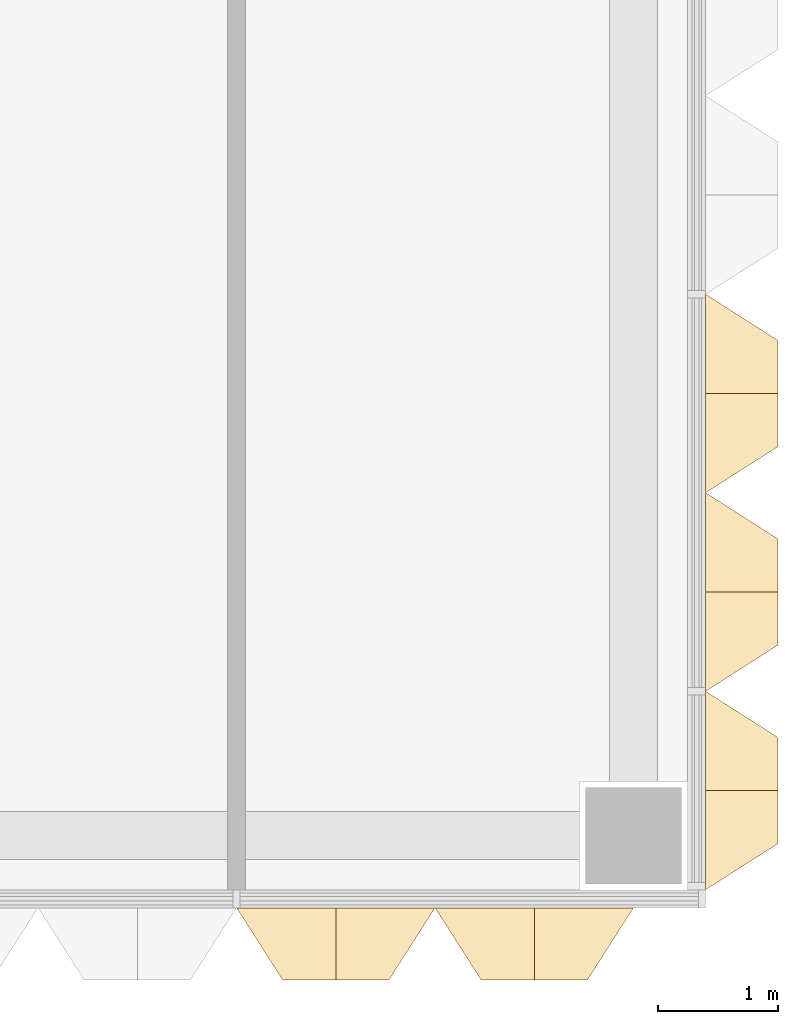
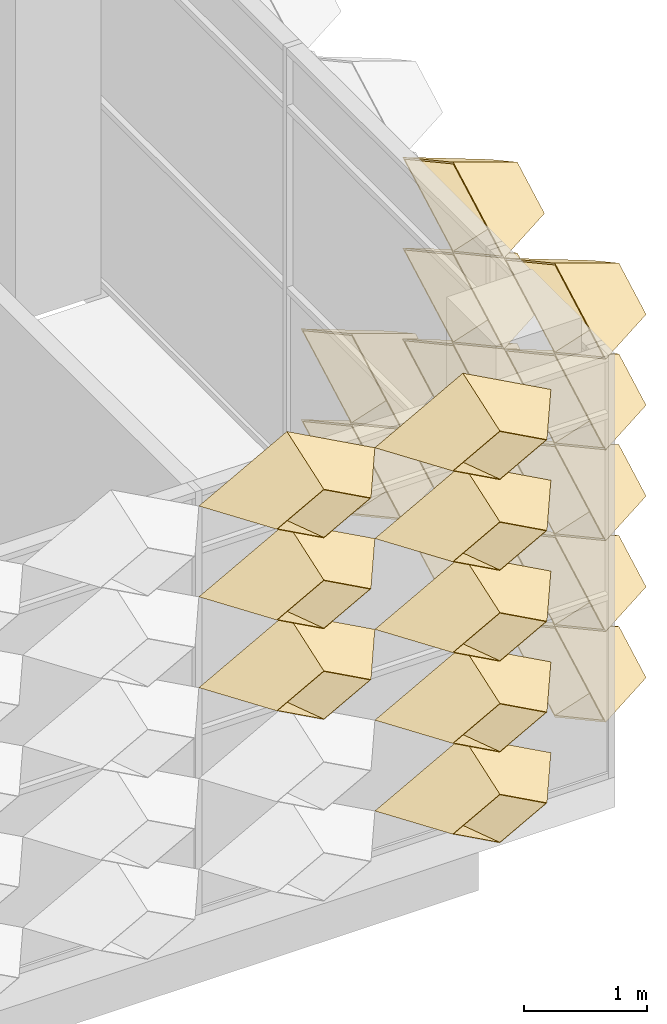
# One storey, part 62 of 85: 20 coverings.
"""IFC4 building model written with IfcOpenShell, lengths in metres."""

from ifc_helpers import new_model, entity, si_unit, direction, frame, origin, place, context, subcontext, project, spatial, material, layer, layer_set, type_object, element, save


model = new_model("IFC4")

# Units and contexts
model_context = context("Model", 3, precision=1e-05, world=origin(), true_north=direction((0.0, 1.0)))
body_context = subcontext(model_context, "Body", "Model", "MODEL_VIEW")
ifc_project = project(units=[si_unit("LENGTHUNIT", "METRE"), si_unit("AREAUNIT", "SQUARE_METRE"), si_unit("VOLUMEUNIT", "CUBIC_METRE"), si_unit("PLANEANGLEUNIT", "RADIAN"), si_unit("MASSUNIT", "GRAM", prefix="KILO")], contexts=[model_context])

# Site, building, storey
site_placement = place(None, origin())
site = spatial("IfcSite", under=ifc_project, at=site_placement, CompositionType="ELEMENT")
building_placement = place(site_placement, origin())
building = spatial("IfcBuilding", under=site, at=building_placement, Name="Lantern Court Research Institute", CompositionType="ELEMENT")
storey_placement = place(building_placement, frame((0.0, 0.0, 18.89990234375)))
storey = spatial("IfcBuildingStorey", under=building, at=storey_placement, Name="L04", CompositionType="ELEMENT", Elevation=18.89990234375)

# Coverings
ifc_material = material(Name="Anodised aluminium", Category="aluminium")
ifc_layer = layer(ifc_material, 0.01611328125)
ifc_layer_set = layer_set([ifc_layer], Name="Anodised aluminium")
covering_type = type_object("IfcCoveringType", Name="Fin cassette 1650 x 900 x 600 aluminium", PredefinedType="CLADDING", material=ifc_layer_set)
covering_1_placement = place(storey_placement, frame((79.800048828125, -7.425048828125, 0.4501953125), z_axis=(1.0, 0.0, 0.0), x_axis=(0.0, 1.0, 0.0)))
cartesian_point_1 = entity("IfcCartesianPoint", [0.824951171875, 0.0])
cartesian_point_2 = entity("IfcCartesianPoint", [0.79150390625, 0.0])
cartesian_point_3 = entity("IfcCartesianPoint", [0.44189453125, 0.0])
cartesian_point_4 = entity("IfcCartesianPoint", [0.43359375, 0.0])
element("IfcCovering", 1, at=covering_1_placement, inside=storey, type_object=covering_type, Name="Fin cassette V5E-L04 1.-4", PredefinedType="CLADDING", context=body_context, shape_type="SweptSolid", body=[
    entity("IfcExtrudedAreaSolidTapered", entity("IfcArbitraryProfileDefWithVoids", "AREA", None, entity("IfcPolyline", [cartesian_point_1, entity("IfcCartesianPoint", [0.0, 0.449951171875]), entity("IfcCartesianPoint", [-0.824951171875, 0.0]), entity("IfcCartesianPoint", [0.0, -0.449951171875]), cartesian_point_1]), [entity("IfcPolyline", [cartesian_point_2, entity("IfcCartesianPoint", [0.0, 0.431884765625]), entity("IfcCartesianPoint", [-0.79150390625, 0.0]), entity("IfcCartesianPoint", [0.0, -0.431884765625]), cartesian_point_2])]), entity("IfcAxis2Placement3D", entity("IfcCartesianPoint", [0.0, 0.0, 0.0])), entity("IfcDirection", [0.0, 0.0, 1.0]), 0.60009765625, entity("IfcArbitraryProfileDefWithVoids", "AREA", None, entity("IfcPolyline", [cartesian_point_3, entity("IfcCartesianPoint", [0.0, 0.240966796875]), entity("IfcCartesianPoint", [-0.44189453125, 0.0]), entity("IfcCartesianPoint", [0.0, -0.240966796875]), cartesian_point_3]), [entity("IfcPolyline", [cartesian_point_4, entity("IfcCartesianPoint", [0.0, 0.236572265625]), entity("IfcCartesianPoint", [-0.43359375, 0.0]), entity("IfcCartesianPoint", [0.0, -0.236572265625]), cartesian_point_4])])),
])
covering_2_placement = place(storey_placement, frame((79.800048828125, -5.77490234375, 0.4501953125), z_axis=(1.0, 0.0, 0.0), x_axis=(0.0, 1.0, 0.0)))
cartesian_point_5 = entity("IfcCartesianPoint", [0.824951171875, 0.0])
cartesian_point_6 = entity("IfcCartesianPoint", [0.79150390625, 0.0])
cartesian_point_7 = entity("IfcCartesianPoint", [0.44189453125, 0.0])
cartesian_point_8 = entity("IfcCartesianPoint", [0.43359375, 0.0])
element("IfcCovering", 2, at=covering_2_placement, inside=storey, type_object=covering_type, Name="Fin cassette V5E-L04 1.-3", PredefinedType="CLADDING", context=body_context, shape_type="SweptSolid", body=[
    entity("IfcExtrudedAreaSolidTapered", entity("IfcArbitraryProfileDefWithVoids", "AREA", None, entity("IfcPolyline", [cartesian_point_5, entity("IfcCartesianPoint", [0.0, 0.449951171875]), entity("IfcCartesianPoint", [-0.824951171875, 0.0]), entity("IfcCartesianPoint", [0.0, -0.449951171875]), cartesian_point_5]), [entity("IfcPolyline", [cartesian_point_6, entity("IfcCartesianPoint", [0.0, 0.431884765625]), entity("IfcCartesianPoint", [-0.79150390625, 0.0]), entity("IfcCartesianPoint", [0.0, -0.431884765625]), cartesian_point_6])]), entity("IfcAxis2Placement3D", entity("IfcCartesianPoint", [0.0, 0.0, 0.0])), entity("IfcDirection", [0.0, 0.0, 1.0]), 0.60009765625, entity("IfcArbitraryProfileDefWithVoids", "AREA", None, entity("IfcPolyline", [cartesian_point_7, entity("IfcCartesianPoint", [0.0, 0.240966796875]), entity("IfcCartesianPoint", [-0.44189453125, 0.0]), entity("IfcCartesianPoint", [0.0, -0.240966796875]), cartesian_point_7]), [entity("IfcPolyline", [cartesian_point_8, entity("IfcCartesianPoint", [0.0, 0.236572265625]), entity("IfcCartesianPoint", [-0.43359375, 0.0]), entity("IfcCartesianPoint", [0.0, -0.236572265625]), cartesian_point_8])])),
])
covering_3_placement = place(storey_placement, frame((79.800048828125, -4.125, 0.4501953125), z_axis=(1.0, 0.0, 0.0), x_axis=(0.0, 1.0, 0.0)))
cartesian_point_9 = entity("IfcCartesianPoint", [0.824951171875, 0.0])
cartesian_point_10 = entity("IfcCartesianPoint", [0.79150390625, 0.0])
cartesian_point_11 = entity("IfcCartesianPoint", [0.44189453125, 0.0])
cartesian_point_12 = entity("IfcCartesianPoint", [0.43359375, 0.0])
element("IfcCovering", 3, at=covering_3_placement, inside=storey, type_object=covering_type, Name="Fin cassette V5E-L04 1.-2", PredefinedType="CLADDING", context=body_context, shape_type="SweptSolid", body=[
    entity("IfcExtrudedAreaSolidTapered", entity("IfcArbitraryProfileDefWithVoids", "AREA", None, entity("IfcPolyline", [cartesian_point_9, entity("IfcCartesianPoint", [0.0, 0.449951171875]), entity("IfcCartesianPoint", [-0.824951171875, 0.0]), entity("IfcCartesianPoint", [0.0, -0.449951171875]), cartesian_point_9]), [entity("IfcPolyline", [cartesian_point_10, entity("IfcCartesianPoint", [0.0, 0.431884765625]), entity("IfcCartesianPoint", [-0.79150390625, 0.0]), entity("IfcCartesianPoint", [0.0, -0.431884765625]), cartesian_point_10])]), entity("IfcAxis2Placement3D", entity("IfcCartesianPoint", [0.0, 0.0, 0.0])), entity("IfcDirection", [0.0, 0.0, 1.0]), 0.60009765625, entity("IfcArbitraryProfileDefWithVoids", "AREA", None, entity("IfcPolyline", [cartesian_point_11, entity("IfcCartesianPoint", [0.0, 0.240966796875]), entity("IfcCartesianPoint", [-0.44189453125, 0.0]), entity("IfcCartesianPoint", [0.0, -0.240966796875]), cartesian_point_11]), [entity("IfcPolyline", [cartesian_point_12, entity("IfcCartesianPoint", [0.0, 0.236572265625]), entity("IfcCartesianPoint", [-0.43359375, 0.0]), entity("IfcCartesianPoint", [0.0, -0.236572265625]), cartesian_point_12])])),
])
covering_4_placement = place(storey_placement, frame((79.800048828125, -7.425048828125, 1.35009765625), z_axis=(1.0, 0.0, 0.0), x_axis=(0.0, 1.0, 0.0)))
cartesian_point_13 = entity("IfcCartesianPoint", [0.824951171875, 0.0])
cartesian_point_14 = entity("IfcCartesianPoint", [0.79150390625, 0.0])
cartesian_point_15 = entity("IfcCartesianPoint", [0.44189453125, 0.0])
cartesian_point_16 = entity("IfcCartesianPoint", [0.43359375, 0.0])
element("IfcCovering", 4, at=covering_4_placement, inside=storey, type_object=covering_type, Name="Fin cassette V5E-L04 2.-4", PredefinedType="CLADDING", context=body_context, shape_type="SweptSolid", body=[
    entity("IfcExtrudedAreaSolidTapered", entity("IfcArbitraryProfileDefWithVoids", "AREA", None, entity("IfcPolyline", [cartesian_point_13, entity("IfcCartesianPoint", [0.0, 0.449951171875]), entity("IfcCartesianPoint", [-0.824951171875, 0.0]), entity("IfcCartesianPoint", [0.0, -0.449951171875]), cartesian_point_13]), [entity("IfcPolyline", [cartesian_point_14, entity("IfcCartesianPoint", [0.0, 0.431884765625]), entity("IfcCartesianPoint", [-0.79150390625, 0.0]), entity("IfcCartesianPoint", [0.0, -0.431884765625]), cartesian_point_14])]), entity("IfcAxis2Placement3D", entity("IfcCartesianPoint", [0.0, 0.0, 0.0])), entity("IfcDirection", [0.0, 0.0, 1.0]), 0.60009765625, entity("IfcArbitraryProfileDefWithVoids", "AREA", None, entity("IfcPolyline", [cartesian_point_15, entity("IfcCartesianPoint", [0.0, 0.240966796875]), entity("IfcCartesianPoint", [-0.44189453125, 0.0]), entity("IfcCartesianPoint", [0.0, -0.240966796875]), cartesian_point_15]), [entity("IfcPolyline", [cartesian_point_16, entity("IfcCartesianPoint", [0.0, 0.236572265625]), entity("IfcCartesianPoint", [-0.43359375, 0.0]), entity("IfcCartesianPoint", [0.0, -0.236572265625]), cartesian_point_16])])),
])
covering_5_placement = place(storey_placement, frame((79.800048828125, -5.77490234375, 1.35009765625), z_axis=(1.0, 0.0, 0.0), x_axis=(0.0, 1.0, 0.0)))
cartesian_point_17 = entity("IfcCartesianPoint", [0.824951171875, 0.0])
cartesian_point_18 = entity("IfcCartesianPoint", [0.79150390625, 0.0])
cartesian_point_19 = entity("IfcCartesianPoint", [0.44189453125, 0.0])
cartesian_point_20 = entity("IfcCartesianPoint", [0.43359375, 0.0])
element("IfcCovering", 5, at=covering_5_placement, inside=storey, type_object=covering_type, Name="Fin cassette V5E-L04 2.-3", PredefinedType="CLADDING", context=body_context, shape_type="SweptSolid", body=[
    entity("IfcExtrudedAreaSolidTapered", entity("IfcArbitraryProfileDefWithVoids", "AREA", None, entity("IfcPolyline", [cartesian_point_17, entity("IfcCartesianPoint", [0.0, 0.449951171875]), entity("IfcCartesianPoint", [-0.824951171875, 0.0]), entity("IfcCartesianPoint", [0.0, -0.449951171875]), cartesian_point_17]), [entity("IfcPolyline", [cartesian_point_18, entity("IfcCartesianPoint", [0.0, 0.431884765625]), entity("IfcCartesianPoint", [-0.79150390625, 0.0]), entity("IfcCartesianPoint", [0.0, -0.431884765625]), cartesian_point_18])]), entity("IfcAxis2Placement3D", entity("IfcCartesianPoint", [0.0, 0.0, 0.0])), entity("IfcDirection", [0.0, 0.0, 1.0]), 0.60009765625, entity("IfcArbitraryProfileDefWithVoids", "AREA", None, entity("IfcPolyline", [cartesian_point_19, entity("IfcCartesianPoint", [0.0, 0.240966796875]), entity("IfcCartesianPoint", [-0.44189453125, 0.0]), entity("IfcCartesianPoint", [0.0, -0.240966796875]), cartesian_point_19]), [entity("IfcPolyline", [cartesian_point_20, entity("IfcCartesianPoint", [0.0, 0.236572265625]), entity("IfcCartesianPoint", [-0.43359375, 0.0]), entity("IfcCartesianPoint", [0.0, -0.236572265625]), cartesian_point_20])])),
])
covering_6_placement = place(storey_placement, frame((79.800048828125, -4.125, 1.35009765625), z_axis=(1.0, 0.0, 0.0), x_axis=(0.0, 1.0, 0.0)))
cartesian_point_21 = entity("IfcCartesianPoint", [0.824951171875, 0.0])
cartesian_point_22 = entity("IfcCartesianPoint", [0.79150390625, 0.0])
cartesian_point_23 = entity("IfcCartesianPoint", [0.44189453125, 0.0])
cartesian_point_24 = entity("IfcCartesianPoint", [0.43359375, 0.0])
element("IfcCovering", 6, at=covering_6_placement, inside=storey, type_object=covering_type, Name="Fin cassette V5E-L04 2.-2", PredefinedType="CLADDING", context=body_context, shape_type="SweptSolid", body=[
    entity("IfcExtrudedAreaSolidTapered", entity("IfcArbitraryProfileDefWithVoids", "AREA", None, entity("IfcPolyline", [cartesian_point_21, entity("IfcCartesianPoint", [0.0, 0.449951171875]), entity("IfcCartesianPoint", [-0.824951171875, 0.0]), entity("IfcCartesianPoint", [0.0, -0.449951171875]), cartesian_point_21]), [entity("IfcPolyline", [cartesian_point_22, entity("IfcCartesianPoint", [0.0, 0.431884765625]), entity("IfcCartesianPoint", [-0.79150390625, 0.0]), entity("IfcCartesianPoint", [0.0, -0.431884765625]), cartesian_point_22])]), entity("IfcAxis2Placement3D", entity("IfcCartesianPoint", [0.0, 0.0, 0.0])), entity("IfcDirection", [0.0, 0.0, 1.0]), 0.60009765625, entity("IfcArbitraryProfileDefWithVoids", "AREA", None, entity("IfcPolyline", [cartesian_point_23, entity("IfcCartesianPoint", [0.0, 0.240966796875]), entity("IfcCartesianPoint", [-0.44189453125, 0.0]), entity("IfcCartesianPoint", [0.0, -0.240966796875]), cartesian_point_23]), [entity("IfcPolyline", [cartesian_point_24, entity("IfcCartesianPoint", [0.0, 0.236572265625]), entity("IfcCartesianPoint", [-0.43359375, 0.0]), entity("IfcCartesianPoint", [0.0, -0.236572265625]), cartesian_point_24])])),
])
covering_7_placement = place(storey_placement, frame((79.800048828125, -7.425048828125, 2.25), z_axis=(1.0, 0.0, 0.0), x_axis=(0.0, 1.0, 0.0)))
cartesian_point_25 = entity("IfcCartesianPoint", [0.824951171875, 0.0])
cartesian_point_26 = entity("IfcCartesianPoint", [0.79150390625, 0.0])
cartesian_point_27 = entity("IfcCartesianPoint", [0.44189453125, 0.0])
cartesian_point_28 = entity("IfcCartesianPoint", [0.43359375, 0.0])
element("IfcCovering", 7, at=covering_7_placement, inside=storey, type_object=covering_type, Name="Fin cassette V5E-L04 3.-4", PredefinedType="CLADDING", context=body_context, shape_type="SweptSolid", body=[
    entity("IfcExtrudedAreaSolidTapered", entity("IfcArbitraryProfileDefWithVoids", "AREA", None, entity("IfcPolyline", [cartesian_point_25, entity("IfcCartesianPoint", [0.0, 0.449951171875]), entity("IfcCartesianPoint", [-0.824951171875, 0.0]), entity("IfcCartesianPoint", [0.0, -0.449951171875]), cartesian_point_25]), [entity("IfcPolyline", [cartesian_point_26, entity("IfcCartesianPoint", [0.0, 0.431884765625]), entity("IfcCartesianPoint", [-0.79150390625, 0.0]), entity("IfcCartesianPoint", [0.0, -0.431884765625]), cartesian_point_26])]), entity("IfcAxis2Placement3D", entity("IfcCartesianPoint", [0.0, 0.0, 0.0])), entity("IfcDirection", [0.0, 0.0, 1.0]), 0.60009765625, entity("IfcArbitraryProfileDefWithVoids", "AREA", None, entity("IfcPolyline", [cartesian_point_27, entity("IfcCartesianPoint", [0.0, 0.240966796875]), entity("IfcCartesianPoint", [-0.44189453125, 0.0]), entity("IfcCartesianPoint", [0.0, -0.240966796875]), cartesian_point_27]), [entity("IfcPolyline", [cartesian_point_28, entity("IfcCartesianPoint", [0.0, 0.236572265625]), entity("IfcCartesianPoint", [-0.43359375, 0.0]), entity("IfcCartesianPoint", [0.0, -0.236572265625]), cartesian_point_28])])),
])
covering_8_placement = place(storey_placement, frame((79.800048828125, -5.77490234375, 2.25), z_axis=(1.0, 0.0, 0.0), x_axis=(0.0, 1.0, 0.0)))
cartesian_point_29 = entity("IfcCartesianPoint", [0.824951171875, 0.0])
cartesian_point_30 = entity("IfcCartesianPoint", [0.79150390625, 0.0])
cartesian_point_31 = entity("IfcCartesianPoint", [0.44189453125, 0.0])
cartesian_point_32 = entity("IfcCartesianPoint", [0.43359375, 0.0])
element("IfcCovering", 8, at=covering_8_placement, inside=storey, type_object=covering_type, Name="Fin cassette V5E-L04 3.-3", PredefinedType="CLADDING", context=body_context, shape_type="SweptSolid", body=[
    entity("IfcExtrudedAreaSolidTapered", entity("IfcArbitraryProfileDefWithVoids", "AREA", None, entity("IfcPolyline", [cartesian_point_29, entity("IfcCartesianPoint", [0.0, 0.449951171875]), entity("IfcCartesianPoint", [-0.824951171875, 0.0]), entity("IfcCartesianPoint", [0.0, -0.449951171875]), cartesian_point_29]), [entity("IfcPolyline", [cartesian_point_30, entity("IfcCartesianPoint", [0.0, 0.431884765625]), entity("IfcCartesianPoint", [-0.79150390625, 0.0]), entity("IfcCartesianPoint", [0.0, -0.431884765625]), cartesian_point_30])]), entity("IfcAxis2Placement3D", entity("IfcCartesianPoint", [0.0, 0.0, 0.0])), entity("IfcDirection", [0.0, 0.0, 1.0]), 0.60009765625, entity("IfcArbitraryProfileDefWithVoids", "AREA", None, entity("IfcPolyline", [cartesian_point_31, entity("IfcCartesianPoint", [0.0, 0.240966796875]), entity("IfcCartesianPoint", [-0.44189453125, 0.0]), entity("IfcCartesianPoint", [0.0, -0.240966796875]), cartesian_point_31]), [entity("IfcPolyline", [cartesian_point_32, entity("IfcCartesianPoint", [0.0, 0.236572265625]), entity("IfcCartesianPoint", [-0.43359375, 0.0]), entity("IfcCartesianPoint", [0.0, -0.236572265625]), cartesian_point_32])])),
])
covering_9_placement = place(storey_placement, frame((79.800048828125, -7.425048828125, 3.150146484375), z_axis=(1.0, 0.0, 0.0), x_axis=(0.0, 1.0, 0.0)))
cartesian_point_33 = entity("IfcCartesianPoint", [0.824951171875, 0.0])
cartesian_point_34 = entity("IfcCartesianPoint", [0.79150390625, 0.0])
cartesian_point_35 = entity("IfcCartesianPoint", [0.44189453125, 0.0])
cartesian_point_36 = entity("IfcCartesianPoint", [0.43359375, 0.0])
element("IfcCovering", 9, at=covering_9_placement, inside=storey, type_object=covering_type, Name="Fin cassette V5E-L04 4.-4", PredefinedType="CLADDING", context=body_context, shape_type="SweptSolid", body=[
    entity("IfcExtrudedAreaSolidTapered", entity("IfcArbitraryProfileDefWithVoids", "AREA", None, entity("IfcPolyline", [cartesian_point_33, entity("IfcCartesianPoint", [0.0, 0.449951171875]), entity("IfcCartesianPoint", [-0.824951171875, 0.0]), entity("IfcCartesianPoint", [0.0, -0.449951171875]), cartesian_point_33]), [entity("IfcPolyline", [cartesian_point_34, entity("IfcCartesianPoint", [0.0, 0.431884765625]), entity("IfcCartesianPoint", [-0.79150390625, 0.0]), entity("IfcCartesianPoint", [0.0, -0.431884765625]), cartesian_point_34])]), entity("IfcAxis2Placement3D", entity("IfcCartesianPoint", [0.0, 0.0, 0.0])), entity("IfcDirection", [0.0, 0.0, 1.0]), 0.60009765625, entity("IfcArbitraryProfileDefWithVoids", "AREA", None, entity("IfcPolyline", [cartesian_point_35, entity("IfcCartesianPoint", [0.0, 0.240966796875]), entity("IfcCartesianPoint", [-0.44189453125, 0.0]), entity("IfcCartesianPoint", [0.0, -0.240966796875]), cartesian_point_35]), [entity("IfcPolyline", [cartesian_point_36, entity("IfcCartesianPoint", [0.0, 0.236572265625]), entity("IfcCartesianPoint", [-0.43359375, 0.0]), entity("IfcCartesianPoint", [0.0, -0.236572265625]), cartesian_point_36])])),
])
covering_10_placement = place(storey_placement, frame((79.800048828125, -5.77490234375, 3.150146484375), z_axis=(1.0, 0.0, 0.0), x_axis=(0.0, 1.0, 0.0)))
cartesian_point_37 = entity("IfcCartesianPoint", [0.824951171875, 0.0])
cartesian_point_38 = entity("IfcCartesianPoint", [0.79150390625, 0.0])
cartesian_point_39 = entity("IfcCartesianPoint", [0.44189453125, 0.0])
cartesian_point_40 = entity("IfcCartesianPoint", [0.43359375, 0.0])
element("IfcCovering", 10, at=covering_10_placement, inside=storey, type_object=covering_type, Name="Fin cassette V5E-L04 4.-3", PredefinedType="CLADDING", context=body_context, shape_type="SweptSolid", body=[
    entity("IfcExtrudedAreaSolidTapered", entity("IfcArbitraryProfileDefWithVoids", "AREA", None, entity("IfcPolyline", [cartesian_point_37, entity("IfcCartesianPoint", [0.0, 0.449951171875]), entity("IfcCartesianPoint", [-0.824951171875, 0.0]), entity("IfcCartesianPoint", [0.0, -0.449951171875]), cartesian_point_37]), [entity("IfcPolyline", [cartesian_point_38, entity("IfcCartesianPoint", [0.0, 0.431884765625]), entity("IfcCartesianPoint", [-0.79150390625, 0.0]), entity("IfcCartesianPoint", [0.0, -0.431884765625]), cartesian_point_38])]), entity("IfcAxis2Placement3D", entity("IfcCartesianPoint", [0.0, 0.0, 0.0])), entity("IfcDirection", [0.0, 0.0, 1.0]), 0.60009765625, entity("IfcArbitraryProfileDefWithVoids", "AREA", None, entity("IfcPolyline", [cartesian_point_39, entity("IfcCartesianPoint", [0.0, 0.240966796875]), entity("IfcCartesianPoint", [-0.44189453125, 0.0]), entity("IfcCartesianPoint", [0.0, -0.240966796875]), cartesian_point_39]), [entity("IfcPolyline", [cartesian_point_40, entity("IfcCartesianPoint", [0.0, 0.236572265625]), entity("IfcCartesianPoint", [-0.43359375, 0.0]), entity("IfcCartesianPoint", [0.0, -0.236572265625]), cartesian_point_40])])),
])
covering_11_placement = place(storey_placement, frame((79.800048828125, -7.425048828125, 4.050048828125), z_axis=(1.0, 0.0, 0.0), x_axis=(0.0, 1.0, 0.0)))
cartesian_point_41 = entity("IfcCartesianPoint", [0.824951171875, 0.0])
cartesian_point_42 = entity("IfcCartesianPoint", [0.79150390625, 0.0])
cartesian_point_43 = entity("IfcCartesianPoint", [0.44189453125, 0.0])
cartesian_point_44 = entity("IfcCartesianPoint", [0.43359375, 0.0])
element("IfcCovering", 11, at=covering_11_placement, inside=storey, type_object=covering_type, Name="Fin cassette V5E-L04 5.-4", PredefinedType="CLADDING", context=body_context, shape_type="SweptSolid", body=[
    entity("IfcExtrudedAreaSolidTapered", entity("IfcArbitraryProfileDefWithVoids", "AREA", None, entity("IfcPolyline", [cartesian_point_41, entity("IfcCartesianPoint", [0.0, 0.449951171875]), entity("IfcCartesianPoint", [-0.824951171875, 0.0]), entity("IfcCartesianPoint", [0.0, -0.449951171875]), cartesian_point_41]), [entity("IfcPolyline", [cartesian_point_42, entity("IfcCartesianPoint", [0.0, 0.431884765625]), entity("IfcCartesianPoint", [-0.79150390625, 0.0]), entity("IfcCartesianPoint", [0.0, -0.431884765625]), cartesian_point_42])]), entity("IfcAxis2Placement3D", entity("IfcCartesianPoint", [0.0, 0.0, 0.0])), entity("IfcDirection", [0.0, 0.0, 1.0]), 0.60009765625, entity("IfcArbitraryProfileDefWithVoids", "AREA", None, entity("IfcPolyline", [cartesian_point_43, entity("IfcCartesianPoint", [0.0, 0.240966796875]), entity("IfcCartesianPoint", [-0.44189453125, 0.0]), entity("IfcCartesianPoint", [0.0, -0.240966796875]), cartesian_point_43]), [entity("IfcPolyline", [cartesian_point_44, entity("IfcCartesianPoint", [0.0, 0.236572265625]), entity("IfcCartesianPoint", [-0.43359375, 0.0]), entity("IfcCartesianPoint", [0.0, -0.236572265625]), cartesian_point_44])])),
])
covering_12_placement = place(storey_placement, frame((79.800048828125, -5.77490234375, 4.050048828125), z_axis=(1.0, 0.0, 0.0), x_axis=(0.0, 1.0, 0.0)))
cartesian_point_45 = entity("IfcCartesianPoint", [0.824951171875, 0.0])
cartesian_point_46 = entity("IfcCartesianPoint", [0.79150390625, 0.0])
cartesian_point_47 = entity("IfcCartesianPoint", [0.44189453125, 0.0])
cartesian_point_48 = entity("IfcCartesianPoint", [0.43359375, 0.0])
element("IfcCovering", 12, at=covering_12_placement, inside=storey, type_object=covering_type, Name="Fin cassette V5E-L04 5.-3", PredefinedType="CLADDING", context=body_context, shape_type="SweptSolid", body=[
    entity("IfcExtrudedAreaSolidTapered", entity("IfcArbitraryProfileDefWithVoids", "AREA", None, entity("IfcPolyline", [cartesian_point_45, entity("IfcCartesianPoint", [0.0, 0.449951171875]), entity("IfcCartesianPoint", [-0.824951171875, 0.0]), entity("IfcCartesianPoint", [0.0, -0.449951171875]), cartesian_point_45]), [entity("IfcPolyline", [cartesian_point_46, entity("IfcCartesianPoint", [0.0, 0.431884765625]), entity("IfcCartesianPoint", [-0.79150390625, 0.0]), entity("IfcCartesianPoint", [0.0, -0.431884765625]), cartesian_point_46])]), entity("IfcAxis2Placement3D", entity("IfcCartesianPoint", [0.0, 0.0, 0.0])), entity("IfcDirection", [0.0, 0.0, 1.0]), 0.60009765625, entity("IfcArbitraryProfileDefWithVoids", "AREA", None, entity("IfcPolyline", [cartesian_point_47, entity("IfcCartesianPoint", [0.0, 0.240966796875]), entity("IfcCartesianPoint", [-0.44189453125, 0.0]), entity("IfcCartesianPoint", [0.0, -0.240966796875]), cartesian_point_47]), [entity("IfcPolyline", [cartesian_point_48, entity("IfcCartesianPoint", [0.0, 0.236572265625]), entity("IfcCartesianPoint", [-0.43359375, 0.0]), entity("IfcCartesianPoint", [0.0, -0.236572265625]), cartesian_point_48])])),
])
covering_13_placement = place(storey_placement, frame((78.375, -8.39990234375, 0.4501953125), z_axis=(0.0, -1.0, 0.0), x_axis=(1.0, 0.0, 0.0)))
cartesian_point_49 = entity("IfcCartesianPoint", [0.824951171875, 0.0])
cartesian_point_50 = entity("IfcCartesianPoint", [0.79150390625, 0.0])
cartesian_point_51 = entity("IfcCartesianPoint", [0.44189453125, 0.0])
cartesian_point_52 = entity("IfcCartesianPoint", [0.43359375, 0.0])
element("IfcCovering", 13, at=covering_13_placement, inside=storey, type_object=covering_type, Name="Fin cassette V5S-L04 1.48", PredefinedType="CLADDING", context=body_context, shape_type="SweptSolid", body=[
    entity("IfcExtrudedAreaSolidTapered", entity("IfcArbitraryProfileDefWithVoids", "AREA", None, entity("IfcPolyline", [cartesian_point_49, entity("IfcCartesianPoint", [0.0, 0.449951171875]), entity("IfcCartesianPoint", [-0.824951171875, 0.0]), entity("IfcCartesianPoint", [0.0, -0.449951171875]), cartesian_point_49]), [entity("IfcPolyline", [cartesian_point_50, entity("IfcCartesianPoint", [0.0, 0.431884765625]), entity("IfcCartesianPoint", [-0.79150390625, 0.0]), entity("IfcCartesianPoint", [0.0, -0.431884765625]), cartesian_point_50])]), entity("IfcAxis2Placement3D", entity("IfcCartesianPoint", [0.0, 0.0, 0.0])), entity("IfcDirection", [0.0, 0.0, 1.0]), 0.60009765625, entity("IfcArbitraryProfileDefWithVoids", "AREA", None, entity("IfcPolyline", [cartesian_point_51, entity("IfcCartesianPoint", [0.0, 0.240966796875]), entity("IfcCartesianPoint", [-0.44189453125, 0.0]), entity("IfcCartesianPoint", [0.0, -0.240966796875]), cartesian_point_51]), [entity("IfcPolyline", [cartesian_point_52, entity("IfcCartesianPoint", [0.0, 0.236572265625]), entity("IfcCartesianPoint", [-0.43359375, 0.0]), entity("IfcCartesianPoint", [0.0, -0.236572265625]), cartesian_point_52])])),
])
covering_14_placement = place(storey_placement, frame((78.375, -8.39990234375, 1.35009765625), z_axis=(0.0, -1.0, 0.0), x_axis=(1.0, 0.0, 0.0)))
cartesian_point_53 = entity("IfcCartesianPoint", [0.824951171875, 0.0])
cartesian_point_54 = entity("IfcCartesianPoint", [0.79150390625, 0.0])
cartesian_point_55 = entity("IfcCartesianPoint", [0.44189453125, 0.0])
cartesian_point_56 = entity("IfcCartesianPoint", [0.43359375, 0.0])
element("IfcCovering", 14, at=covering_14_placement, inside=storey, type_object=covering_type, Name="Fin cassette V5S-L04 2.48", PredefinedType="CLADDING", context=body_context, shape_type="SweptSolid", body=[
    entity("IfcExtrudedAreaSolidTapered", entity("IfcArbitraryProfileDefWithVoids", "AREA", None, entity("IfcPolyline", [cartesian_point_53, entity("IfcCartesianPoint", [0.0, 0.449951171875]), entity("IfcCartesianPoint", [-0.824951171875, 0.0]), entity("IfcCartesianPoint", [0.0, -0.449951171875]), cartesian_point_53]), [entity("IfcPolyline", [cartesian_point_54, entity("IfcCartesianPoint", [0.0, 0.431884765625]), entity("IfcCartesianPoint", [-0.79150390625, 0.0]), entity("IfcCartesianPoint", [0.0, -0.431884765625]), cartesian_point_54])]), entity("IfcAxis2Placement3D", entity("IfcCartesianPoint", [0.0, 0.0, 0.0])), entity("IfcDirection", [0.0, 0.0, 1.0]), 0.60009765625, entity("IfcArbitraryProfileDefWithVoids", "AREA", None, entity("IfcPolyline", [cartesian_point_55, entity("IfcCartesianPoint", [0.0, 0.240966796875]), entity("IfcCartesianPoint", [-0.44189453125, 0.0]), entity("IfcCartesianPoint", [0.0, -0.240966796875]), cartesian_point_55]), [entity("IfcPolyline", [cartesian_point_56, entity("IfcCartesianPoint", [0.0, 0.236572265625]), entity("IfcCartesianPoint", [-0.43359375, 0.0]), entity("IfcCartesianPoint", [0.0, -0.236572265625]), cartesian_point_56])])),
])
covering_15_placement = place(storey_placement, frame((76.72509765625, -8.39990234375, 2.25), z_axis=(0.0, -1.0, 0.0), x_axis=(1.0, 0.0, 0.0)))
cartesian_point_57 = entity("IfcCartesianPoint", [0.824951171875, 0.0])
cartesian_point_58 = entity("IfcCartesianPoint", [0.79150390625, 0.0])
cartesian_point_59 = entity("IfcCartesianPoint", [0.44189453125, 0.0])
cartesian_point_60 = entity("IfcCartesianPoint", [0.43359375, 0.0])
element("IfcCovering", 15, at=covering_15_placement, inside=storey, type_object=covering_type, Name="Fin cassette V5S-L04 3.47", PredefinedType="CLADDING", context=body_context, shape_type="SweptSolid", body=[
    entity("IfcExtrudedAreaSolidTapered", entity("IfcArbitraryProfileDefWithVoids", "AREA", None, entity("IfcPolyline", [cartesian_point_57, entity("IfcCartesianPoint", [0.0, 0.449951171875]), entity("IfcCartesianPoint", [-0.824951171875, 0.0]), entity("IfcCartesianPoint", [0.0, -0.449951171875]), cartesian_point_57]), [entity("IfcPolyline", [cartesian_point_58, entity("IfcCartesianPoint", [0.0, 0.431884765625]), entity("IfcCartesianPoint", [-0.79150390625, 0.0]), entity("IfcCartesianPoint", [0.0, -0.431884765625]), cartesian_point_58])]), entity("IfcAxis2Placement3D", entity("IfcCartesianPoint", [0.0, 0.0, 0.0])), entity("IfcDirection", [0.0, 0.0, 1.0]), 0.60009765625, entity("IfcArbitraryProfileDefWithVoids", "AREA", None, entity("IfcPolyline", [cartesian_point_59, entity("IfcCartesianPoint", [0.0, 0.240966796875]), entity("IfcCartesianPoint", [-0.44189453125, 0.0]), entity("IfcCartesianPoint", [0.0, -0.240966796875]), cartesian_point_59]), [entity("IfcPolyline", [cartesian_point_60, entity("IfcCartesianPoint", [0.0, 0.236572265625]), entity("IfcCartesianPoint", [-0.43359375, 0.0]), entity("IfcCartesianPoint", [0.0, -0.236572265625]), cartesian_point_60])])),
])
covering_16_placement = place(storey_placement, frame((78.375, -8.39990234375, 2.25), z_axis=(0.0, -1.0, 0.0), x_axis=(1.0, 0.0, 0.0)))
cartesian_point_61 = entity("IfcCartesianPoint", [0.824951171875, 0.0])
cartesian_point_62 = entity("IfcCartesianPoint", [0.79150390625, 0.0])
cartesian_point_63 = entity("IfcCartesianPoint", [0.44189453125, 0.0])
cartesian_point_64 = entity("IfcCartesianPoint", [0.43359375, 0.0])
element("IfcCovering", 16, at=covering_16_placement, inside=storey, type_object=covering_type, Name="Fin cassette V5S-L04 3.48", PredefinedType="CLADDING", context=body_context, shape_type="SweptSolid", body=[
    entity("IfcExtrudedAreaSolidTapered", entity("IfcArbitraryProfileDefWithVoids", "AREA", None, entity("IfcPolyline", [cartesian_point_61, entity("IfcCartesianPoint", [0.0, 0.449951171875]), entity("IfcCartesianPoint", [-0.824951171875, 0.0]), entity("IfcCartesianPoint", [0.0, -0.449951171875]), cartesian_point_61]), [entity("IfcPolyline", [cartesian_point_62, entity("IfcCartesianPoint", [0.0, 0.431884765625]), entity("IfcCartesianPoint", [-0.79150390625, 0.0]), entity("IfcCartesianPoint", [0.0, -0.431884765625]), cartesian_point_62])]), entity("IfcAxis2Placement3D", entity("IfcCartesianPoint", [0.0, 0.0, 0.0])), entity("IfcDirection", [0.0, 0.0, 1.0]), 0.60009765625, entity("IfcArbitraryProfileDefWithVoids", "AREA", None, entity("IfcPolyline", [cartesian_point_63, entity("IfcCartesianPoint", [0.0, 0.240966796875]), entity("IfcCartesianPoint", [-0.44189453125, 0.0]), entity("IfcCartesianPoint", [0.0, -0.240966796875]), cartesian_point_63]), [entity("IfcPolyline", [cartesian_point_64, entity("IfcCartesianPoint", [0.0, 0.236572265625]), entity("IfcCartesianPoint", [-0.43359375, 0.0]), entity("IfcCartesianPoint", [0.0, -0.236572265625]), cartesian_point_64])])),
])
covering_17_placement = place(storey_placement, frame((76.72509765625, -8.39990234375, 3.150146484375), z_axis=(0.0, -1.0, 0.0), x_axis=(1.0, 0.0, 0.0)))
cartesian_point_65 = entity("IfcCartesianPoint", [0.824951171875, 0.0])
cartesian_point_66 = entity("IfcCartesianPoint", [0.79150390625, 0.0])
cartesian_point_67 = entity("IfcCartesianPoint", [0.44189453125, 0.0])
cartesian_point_68 = entity("IfcCartesianPoint", [0.43359375, 0.0])
element("IfcCovering", 17, at=covering_17_placement, inside=storey, type_object=covering_type, Name="Fin cassette V5S-L04 4.47", PredefinedType="CLADDING", context=body_context, shape_type="SweptSolid", body=[
    entity("IfcExtrudedAreaSolidTapered", entity("IfcArbitraryProfileDefWithVoids", "AREA", None, entity("IfcPolyline", [cartesian_point_65, entity("IfcCartesianPoint", [0.0, 0.449951171875]), entity("IfcCartesianPoint", [-0.824951171875, 0.0]), entity("IfcCartesianPoint", [0.0, -0.449951171875]), cartesian_point_65]), [entity("IfcPolyline", [cartesian_point_66, entity("IfcCartesianPoint", [0.0, 0.431884765625]), entity("IfcCartesianPoint", [-0.79150390625, 0.0]), entity("IfcCartesianPoint", [0.0, -0.431884765625]), cartesian_point_66])]), entity("IfcAxis2Placement3D", entity("IfcCartesianPoint", [0.0, 0.0, 0.0])), entity("IfcDirection", [0.0, 0.0, 1.0]), 0.60009765625, entity("IfcArbitraryProfileDefWithVoids", "AREA", None, entity("IfcPolyline", [cartesian_point_67, entity("IfcCartesianPoint", [0.0, 0.240966796875]), entity("IfcCartesianPoint", [-0.44189453125, 0.0]), entity("IfcCartesianPoint", [0.0, -0.240966796875]), cartesian_point_67]), [entity("IfcPolyline", [cartesian_point_68, entity("IfcCartesianPoint", [0.0, 0.236572265625]), entity("IfcCartesianPoint", [-0.43359375, 0.0]), entity("IfcCartesianPoint", [0.0, -0.236572265625]), cartesian_point_68])])),
])
covering_18_placement = place(storey_placement, frame((78.375, -8.39990234375, 3.150146484375), z_axis=(0.0, -1.0, 0.0), x_axis=(1.0, 0.0, 0.0)))
cartesian_point_69 = entity("IfcCartesianPoint", [0.824951171875, 0.0])
cartesian_point_70 = entity("IfcCartesianPoint", [0.79150390625, 0.0])
cartesian_point_71 = entity("IfcCartesianPoint", [0.44189453125, 0.0])
cartesian_point_72 = entity("IfcCartesianPoint", [0.43359375, 0.0])
element("IfcCovering", 18, at=covering_18_placement, inside=storey, type_object=covering_type, Name="Fin cassette V5S-L04 4.48", PredefinedType="CLADDING", context=body_context, shape_type="SweptSolid", body=[
    entity("IfcExtrudedAreaSolidTapered", entity("IfcArbitraryProfileDefWithVoids", "AREA", None, entity("IfcPolyline", [cartesian_point_69, entity("IfcCartesianPoint", [0.0, 0.449951171875]), entity("IfcCartesianPoint", [-0.824951171875, 0.0]), entity("IfcCartesianPoint", [0.0, -0.449951171875]), cartesian_point_69]), [entity("IfcPolyline", [cartesian_point_70, entity("IfcCartesianPoint", [0.0, 0.431884765625]), entity("IfcCartesianPoint", [-0.79150390625, 0.0]), entity("IfcCartesianPoint", [0.0, -0.431884765625]), cartesian_point_70])]), entity("IfcAxis2Placement3D", entity("IfcCartesianPoint", [0.0, 0.0, 0.0])), entity("IfcDirection", [0.0, 0.0, 1.0]), 0.60009765625, entity("IfcArbitraryProfileDefWithVoids", "AREA", None, entity("IfcPolyline", [cartesian_point_71, entity("IfcCartesianPoint", [0.0, 0.240966796875]), entity("IfcCartesianPoint", [-0.44189453125, 0.0]), entity("IfcCartesianPoint", [0.0, -0.240966796875]), cartesian_point_71]), [entity("IfcPolyline", [cartesian_point_72, entity("IfcCartesianPoint", [0.0, 0.236572265625]), entity("IfcCartesianPoint", [-0.43359375, 0.0]), entity("IfcCartesianPoint", [0.0, -0.236572265625]), cartesian_point_72])])),
])
covering_19_placement = place(storey_placement, frame((76.72509765625, -8.39990234375, 4.050048828125), z_axis=(0.0, -1.0, 0.0), x_axis=(1.0, 0.0, 0.0)))
cartesian_point_73 = entity("IfcCartesianPoint", [0.824951171875, 0.0])
cartesian_point_74 = entity("IfcCartesianPoint", [0.79150390625, 0.0])
cartesian_point_75 = entity("IfcCartesianPoint", [0.44189453125, 0.0])
cartesian_point_76 = entity("IfcCartesianPoint", [0.43359375, 0.0])
element("IfcCovering", 19, at=covering_19_placement, inside=storey, type_object=covering_type, Name="Fin cassette V5S-L04 5.47", PredefinedType="CLADDING", context=body_context, shape_type="SweptSolid", body=[
    entity("IfcExtrudedAreaSolidTapered", entity("IfcArbitraryProfileDefWithVoids", "AREA", None, entity("IfcPolyline", [cartesian_point_73, entity("IfcCartesianPoint", [0.0, 0.449951171875]), entity("IfcCartesianPoint", [-0.824951171875, 0.0]), entity("IfcCartesianPoint", [0.0, -0.449951171875]), cartesian_point_73]), [entity("IfcPolyline", [cartesian_point_74, entity("IfcCartesianPoint", [0.0, 0.431884765625]), entity("IfcCartesianPoint", [-0.79150390625, 0.0]), entity("IfcCartesianPoint", [0.0, -0.431884765625]), cartesian_point_74])]), entity("IfcAxis2Placement3D", entity("IfcCartesianPoint", [0.0, 0.0, 0.0])), entity("IfcDirection", [0.0, 0.0, 1.0]), 0.60009765625, entity("IfcArbitraryProfileDefWithVoids", "AREA", None, entity("IfcPolyline", [cartesian_point_75, entity("IfcCartesianPoint", [0.0, 0.240966796875]), entity("IfcCartesianPoint", [-0.44189453125, 0.0]), entity("IfcCartesianPoint", [0.0, -0.240966796875]), cartesian_point_75]), [entity("IfcPolyline", [cartesian_point_76, entity("IfcCartesianPoint", [0.0, 0.236572265625]), entity("IfcCartesianPoint", [-0.43359375, 0.0]), entity("IfcCartesianPoint", [0.0, -0.236572265625]), cartesian_point_76])])),
])
covering_20_placement = place(storey_placement, frame((78.375, -8.39990234375, 4.050048828125), z_axis=(0.0, -1.0, 0.0), x_axis=(1.0, 0.0, 0.0)))
cartesian_point_77 = entity("IfcCartesianPoint", [0.824951171875, 0.0])
cartesian_point_78 = entity("IfcCartesianPoint", [0.79150390625, 0.0])
cartesian_point_79 = entity("IfcCartesianPoint", [0.44189453125, 0.0])
cartesian_point_80 = entity("IfcCartesianPoint", [0.43359375, 0.0])
element("IfcCovering", 20, at=covering_20_placement, inside=storey, type_object=covering_type, Name="Fin cassette V5S-L04 5.48", PredefinedType="CLADDING", context=body_context, shape_type="SweptSolid", body=[
    entity("IfcExtrudedAreaSolidTapered", entity("IfcArbitraryProfileDefWithVoids", "AREA", None, entity("IfcPolyline", [cartesian_point_77, entity("IfcCartesianPoint", [0.0, 0.449951171875]), entity("IfcCartesianPoint", [-0.824951171875, 0.0]), entity("IfcCartesianPoint", [0.0, -0.449951171875]), cartesian_point_77]), [entity("IfcPolyline", [cartesian_point_78, entity("IfcCartesianPoint", [0.0, 0.431884765625]), entity("IfcCartesianPoint", [-0.79150390625, 0.0]), entity("IfcCartesianPoint", [0.0, -0.431884765625]), cartesian_point_78])]), entity("IfcAxis2Placement3D", entity("IfcCartesianPoint", [0.0, 0.0, 0.0])), entity("IfcDirection", [0.0, 0.0, 1.0]), 0.60009765625, entity("IfcArbitraryProfileDefWithVoids", "AREA", None, entity("IfcPolyline", [cartesian_point_79, entity("IfcCartesianPoint", [0.0, 0.240966796875]), entity("IfcCartesianPoint", [-0.44189453125, 0.0]), entity("IfcCartesianPoint", [0.0, -0.240966796875]), cartesian_point_79]), [entity("IfcPolyline", [cartesian_point_80, entity("IfcCartesianPoint", [0.0, 0.236572265625]), entity("IfcCartesianPoint", [-0.43359375, 0.0]), entity("IfcCartesianPoint", [0.0, -0.236572265625]), cartesian_point_80])])),
])

save(model, "model.ifc")
